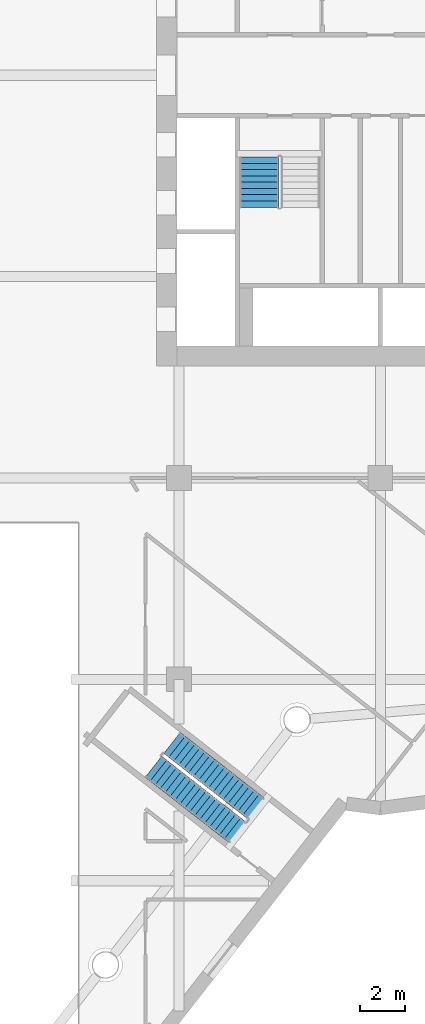
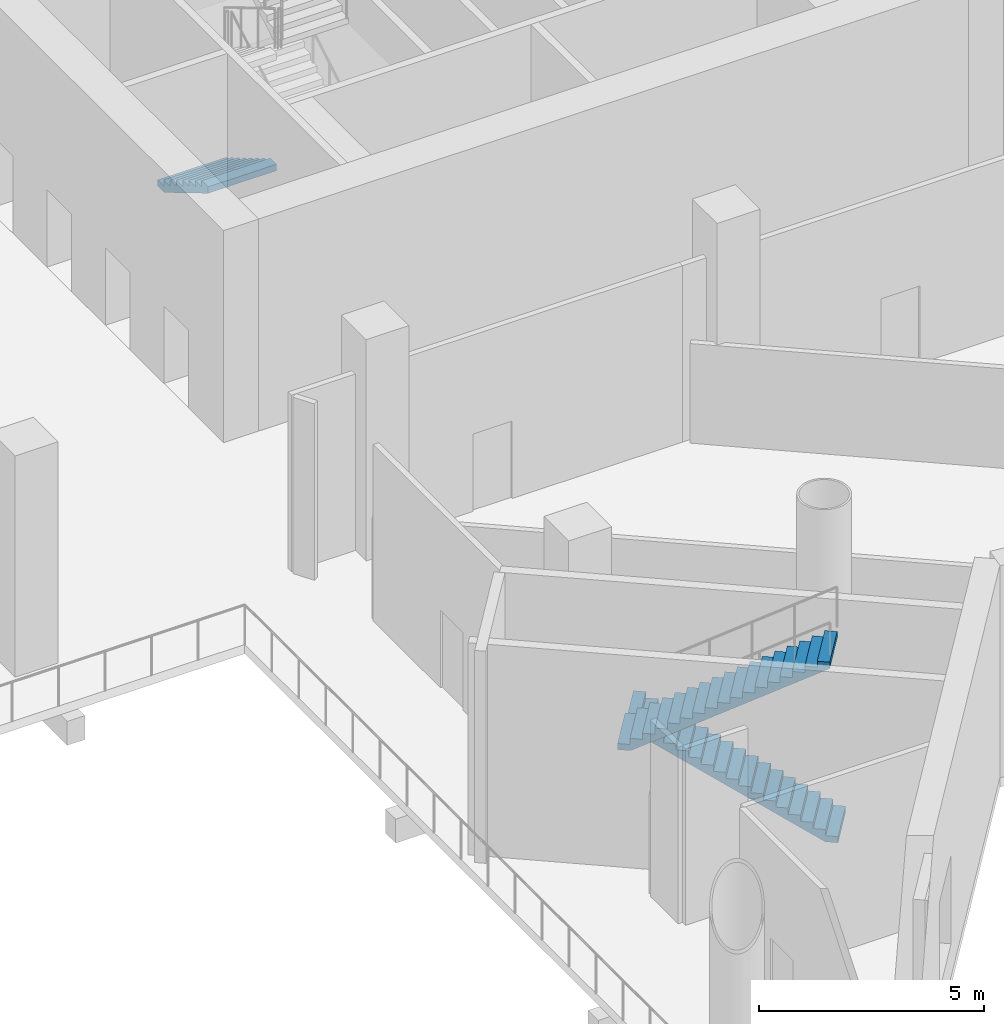
# One storey, part 12 of 24: 3 stair flights, 2 elements without a shape of their own.
"""IFC4 building model written with IfcOpenShell, lengths in metres."""

from ifc_helpers import new_model, si_unit, direction, frame, origin, place, context, subcontext, project, spatial, faceted_brep, material, type_object, element, aggregate, save


model = new_model("IFC4")

# Units and contexts
model_context = context("Model", 3, precision=1e-05, world=origin(), true_north=direction((0.0, 1.0)))
body_context = subcontext(model_context, "Body", "Model", "MODEL_VIEW")
ifc_project = project(units=[si_unit("LENGTHUNIT", "METRE"), si_unit("AREAUNIT", "SQUARE_METRE"), si_unit("VOLUMEUNIT", "CUBIC_METRE"), si_unit("PLANEANGLEUNIT", "RADIAN"), si_unit("MASSUNIT", "GRAM", prefix="KILO")], contexts=[model_context])

# Site, building, storey
site_placement = place(None, origin())
site = spatial("IfcSite", under=ifc_project, at=site_placement, CompositionType="ELEMENT")
building_placement = place(site_placement, origin())
building = spatial("IfcBuilding", under=site, at=building_placement, Name="Tarsis Ring Headquarters", CompositionType="ELEMENT")
storey_placement = place(building_placement, frame((0.0, 0.0, 8.0)))
storey = spatial("IfcBuildingStorey", under=building, at=storey_placement, Name="L01", CompositionType="ELEMENT", Elevation=8.0)

# Stair, stair flight
ifc_material_1 = material(Name="Core stair 1760")
stair_type_1 = type_object("IfcStairType", Name="Core stair 1760", PredefinedType="HALF_TURN_STAIR", material=ifc_material_1)
stair_1_placement = place(storey_placement, origin())
stair_1 = element("IfcStair", 1, at=stair_1_placement, inside=storey, type_object=stair_type_1, Name="L01 Exit stair C", PredefinedType="HALF_TURN_STAIR")
ifc_material_2 = material(Name="Concrete C40/50", Category="concrete")
stair_flight_type_1 = type_object("IfcStairFlightType", Name="Core stair flight 1760", PredefinedType="STRAIGHT", material=ifc_material_2)
stair_flight_1_placement = place(storey_placement, frame((-5.419921875, -3.659912109375, 0.0), z_axis=(0.0, 0.0, 1.0), x_axis=(0.0, -1.0, 0.0)))
stair_flight_1 = element("IfcStairFlight", 2, at=stair_flight_1_placement, type_object=stair_flight_type_1, Name="Stair ST3 flight 1", NumberOfRisers=9, NumberOfTreads=8, PredefinedType="STRAIGHT", RiserHeight=0.166666667, TreadLength=0.28, context=body_context, shape_type="Brep", body=[
    faceted_brep([(0.0, 0.8798828125, 0.0), (0.0, 0.8798828125, 0.166748046875), (0.280029296875, 0.8798828125, 0.166748046875), (0.280029296875, 0.8798828125, 0.333251953125), (0.56005859375, 0.8798828125, 0.333251953125), (0.56005859375, 0.8798828125, 0.5), (0.840087890625, 0.8798828125, 0.5), (0.840087890625, 0.8798828125, 0.666748046875), (1.1201171875, 0.8798828125, 0.666748046875), (1.1201171875, 0.8798828125, 0.833251953125), (1.39990234375, 0.8798828125, 0.833251953125), (1.39990234375, 0.8798828125, 1.0), (1.679931640625, 0.8798828125, 1.0), (1.679931640625, 0.8798828125, 1.166748046875), (1.9599609375, 0.8798828125, 1.166748046875), (1.9599609375, 0.8798828125, 1.333251953125), (2.239990234375, 0.8798828125, 1.333251953125), (2.239990234375, 0.8798828125, 1.158935546875), (0.29296875, 0.8798828125, 0.0), (0.29296875, -0.8798828125, 0.0), (2.239990234375, -0.8798828125, 1.158935546875), (2.239990234375, -0.8798828125, 1.333251953125), (1.9599609375, -0.8798828125, 1.333251953125), (1.9599609375, -0.8798828125, 1.166748046875), (1.679931640625, -0.8798828125, 1.166748046875), (1.679931640625, -0.8798828125, 1.0), (1.39990234375, -0.8798828125, 1.0), (1.39990234375, -0.8798828125, 0.833251953125), (1.1201171875, -0.8798828125, 0.833251953125), (1.1201171875, -0.8798828125, 0.666748046875), (0.840087890625, -0.8798828125, 0.666748046875), (0.840087890625, -0.8798828125, 0.5), (0.56005859375, -0.8798828125, 0.5), (0.56005859375, -0.8798828125, 0.333251953125), (0.280029296875, -0.8798828125, 0.333251953125), (0.280029296875, -0.8798828125, 0.166748046875), (0.0, -0.8798828125, 0.166748046875), (0.0, -0.8798828125, 0.0), (0.0, -0.43994140625, 0.166748046875), (0.0, -0.43994140625, 0.0), (0.0, 0.0, 0.166748046875), (0.0, 0.0, 0.0), (0.0, 0.43994140625, 0.166748046875), (0.0, 0.43994140625, 0.0), (0.280029296875, -0.43994140625, 0.166748046875), (0.280029296875, 0.0, 0.166748046875), (0.280029296875, 0.43994140625, 0.166748046875), (0.280029296875, -0.43994140625, 0.333251953125), (0.280029296875, 0.0, 0.333251953125), (0.280029296875, 0.43994140625, 0.333251953125), (0.56005859375, -0.43994140625, 0.333251953125), (0.56005859375, 0.0, 0.333251953125), (0.56005859375, 0.43994140625, 0.333251953125), (0.56005859375, -0.43994140625, 0.5), (0.56005859375, 0.0, 0.5), (0.56005859375, 0.43994140625, 0.5), (0.840087890625, -0.43994140625, 0.5), (0.840087890625, 0.0, 0.5), (0.840087890625, 0.43994140625, 0.5), (0.840087890625, -0.43994140625, 0.666748046875), (0.840087890625, 0.0, 0.666748046875), (0.840087890625, 0.43994140625, 0.666748046875), (1.1201171875, -0.43994140625, 0.666748046875), (1.1201171875, 0.0, 0.666748046875), (1.1201171875, 0.43994140625, 0.666748046875), (1.1201171875, -0.43994140625, 0.833251953125), (1.1201171875, 0.0, 0.833251953125), (1.1201171875, 0.43994140625, 0.833251953125), (1.39990234375, -0.43994140625, 0.833251953125), (1.39990234375, 0.0, 0.833251953125), (1.39990234375, 0.43994140625, 0.833251953125), (1.39990234375, -0.43994140625, 1.0), (1.39990234375, 0.0, 1.0), (1.39990234375, 0.43994140625, 1.0), (1.679931640625, -0.43994140625, 1.0), (1.679931640625, 0.0, 1.0), (1.679931640625, 0.43994140625, 1.0), (1.679931640625, -0.43994140625, 1.166748046875), (1.679931640625, 0.0, 1.166748046875), (1.679931640625, 0.43994140625, 1.166748046875), (1.9599609375, -0.43994140625, 1.166748046875), (1.9599609375, 0.0, 1.166748046875), (1.9599609375, 0.43994140625, 1.166748046875), (1.9599609375, -0.43994140625, 1.333251953125), (1.9599609375, 0.0, 1.333251953125), (1.9599609375, 0.43994140625, 1.333251953125), (2.239990234375, -0.43994140625, 1.333251953125), (2.239990234375, 0.0, 1.333251953125), (2.239990234375, 0.43994140625, 1.333251953125), (2.239990234375, -0.43994140625, 1.158935546875), (2.239990234375, 0.0, 1.158935546875), (2.239990234375, 0.43994140625, 1.158935546875), (0.29296875, -0.43994140625, 0.0), (0.29296875, 0.0, 0.0), (0.29296875, 0.43994140625, 0.0)], [[[0, 1, 2, 3, 4, 5, 6, 7, 8, 9, 10, 11, 12, 13, 14, 15, 16, 17, 18]], [[19, 20, 21, 22, 23, 24, 25, 26, 27, 28, 29, 30, 31, 32, 33, 34, 35, 36, 37]], [[37, 36, 38, 39]], [[39, 38, 40, 41]], [[41, 40, 42, 43]], [[43, 42, 1, 0]], [[36, 35, 44, 38]], [[38, 44, 45, 40]], [[40, 45, 46, 42]], [[42, 46, 2, 1]], [[35, 34, 47, 44]], [[44, 47, 48, 45]], [[45, 48, 49, 46]], [[46, 49, 3, 2]], [[34, 33, 50, 47]], [[47, 50, 51, 48]], [[48, 51, 52, 49]], [[49, 52, 4, 3]], [[33, 32, 53, 50]], [[50, 53, 54, 51]], [[51, 54, 55, 52]], [[52, 55, 5, 4]], [[32, 31, 56, 53]], [[53, 56, 57, 54]], [[54, 57, 58, 55]], [[55, 58, 6, 5]], [[31, 30, 59, 56]], [[56, 59, 60, 57]], [[57, 60, 61, 58]], [[58, 61, 7, 6]], [[30, 29, 62, 59]], [[59, 62, 63, 60]], [[60, 63, 64, 61]], [[61, 64, 8, 7]], [[29, 28, 65, 62]], [[62, 65, 66, 63]], [[63, 66, 67, 64]], [[64, 67, 9, 8]], [[28, 27, 68, 65]], [[65, 68, 69, 66]], [[66, 69, 70, 67]], [[67, 70, 10, 9]], [[27, 26, 71, 68]], [[68, 71, 72, 69]], [[69, 72, 73, 70]], [[70, 73, 11, 10]], [[26, 25, 74, 71]], [[71, 74, 75, 72]], [[72, 75, 76, 73]], [[73, 76, 12, 11]], [[25, 24, 77, 74]], [[74, 77, 78, 75]], [[75, 78, 79, 76]], [[76, 79, 13, 12]], [[24, 23, 80, 77]], [[77, 80, 81, 78]], [[78, 81, 82, 79]], [[79, 82, 14, 13]], [[23, 22, 83, 80]], [[80, 83, 84, 81]], [[81, 84, 85, 82]], [[82, 85, 15, 14]], [[22, 21, 86, 83]], [[83, 86, 87, 84]], [[84, 87, 88, 85]], [[85, 88, 16, 15]], [[21, 20, 89, 86]], [[86, 89, 90, 87]], [[87, 90, 91, 88]], [[88, 91, 17, 16]], [[20, 19, 92, 89]], [[89, 92, 93, 90]], [[90, 93, 94, 91]], [[91, 94, 18, 17]], [[19, 37, 39, 92]], [[92, 39, 41, 93]], [[93, 41, 43, 94]], [[94, 43, 0, 18]]]),
])
aggregate(stair_1, [stair_flight_1])

# Stair, stair flights
stair_type_2 = type_object("IfcStairType", Name="PO-ST", PredefinedType="HALF_TURN_STAIR", material=ifc_material_2)
stair_2_placement = place(storey_placement, origin())
stair_2 = element("IfcStair", 3, at=stair_2_placement, inside=storey, type_object=stair_type_2, Name="L01 Podium stair", PredefinedType="HALF_TURN_STAIR")
stair_flight_type_2 = type_object("IfcStairFlightType", Name="PO-STF", PredefinedType="STRAIGHT", material=ifc_material_2)
stair_flight_2_placement = place(storey_placement, frame((-5.55712890625, -32.768798828125, 0.0), z_axis=(0.0, 0.0, 1.0), x_axis=(-0.788276433435, 0.615321269331, 0.0)))
stair_flight_2 = element("IfcStairFlight", 4, at=stair_flight_2_placement, type_object=stair_flight_type_2, Name="Stair PS2 flight 1", NumberOfRisers=18, NumberOfTreads=17, PredefinedType="STRAIGHT", RiserHeight=0.166666667, TreadLength=0.28, context=body_context, shape_type="Brep", body=[
    faceted_brep([(0.0, 0.60009765625, 0.0), (0.0, 0.60009765625, 0.166748046875), (0.280029296875, 0.60009765625, 0.166748046875), (0.280029296875, 0.60009765625, 0.333251953125), (0.56005859375, 0.60009765625, 0.333251953125), (0.56005859375, 0.60009765625, 0.5), (0.840087890625, 0.60009765625, 0.5), (0.840087890625, 0.60009765625, 0.666748046875), (1.1201171875, 0.60009765625, 0.666748046875), (1.1201171875, 0.60009765625, 0.833251953125), (1.39990234375, 0.60009765625, 0.833251953125), (1.39990234375, 0.60009765625, 1.0), (1.679931640625, 0.60009765625, 1.0), (1.679931640625, 0.60009765625, 1.166748046875), (1.9599609375, 0.60009765625, 1.166748046875), (1.9599609375, 0.60009765625, 1.333251953125), (2.239990234375, 0.60009765625, 1.333251953125), (2.239990234375, 0.60009765625, 1.5), (2.52001953125, 0.60009765625, 1.5), (2.52001953125, 0.60009765625, 1.666748046875), (2.800048828125, 0.60009765625, 1.666748046875), (2.800048828125, 0.60009765625, 1.833251953125), (3.080078125, 0.60009765625, 1.833251953125), (3.080078125, 0.60009765625, 2.0), (3.360107421875, 0.60009765625, 2.0), (3.360107421875, 0.60009765625, 2.166748046875), (3.639892578125, 0.60009765625, 2.166748046875), (3.639892578125, 0.60009765625, 2.333251953125), (3.919921875, 0.60009765625, 2.333251953125), (3.919921875, 0.60009765625, 2.5), (4.199951171875, 0.60009765625, 2.5), (4.199951171875, 0.60009765625, 2.666748046875), (4.47998046875, 0.60009765625, 2.666748046875), (4.47998046875, 0.60009765625, 2.833251953125), (4.760009765625, 0.60009765625, 2.833251953125), (4.760009765625, 0.60009765625, 2.658935546875), (0.29296875, 0.60009765625, 0.0), (0.29296875, -0.60009765625, 0.0), (4.760009765625, -0.60009765625, 2.658935546875), (4.760009765625, -0.60009765625, 2.833251953125), (4.47998046875, -0.60009765625, 2.833251953125), (4.47998046875, -0.60009765625, 2.666748046875), (4.199951171875, -0.60009765625, 2.666748046875), (4.199951171875, -0.60009765625, 2.5), (3.919921875, -0.60009765625, 2.5), (3.919921875, -0.60009765625, 2.333251953125), (3.639892578125, -0.60009765625, 2.333251953125), (3.639892578125, -0.60009765625, 2.166748046875), (3.360107421875, -0.60009765625, 2.166748046875), (3.360107421875, -0.60009765625, 2.0), (3.080078125, -0.60009765625, 2.0), (3.080078125, -0.60009765625, 1.833251953125), (2.800048828125, -0.60009765625, 1.833251953125), (2.800048828125, -0.60009765625, 1.666748046875), (2.52001953125, -0.60009765625, 1.666748046875), (2.52001953125, -0.60009765625, 1.5), (2.239990234375, -0.60009765625, 1.5), (2.239990234375, -0.60009765625, 1.333251953125), (1.9599609375, -0.60009765625, 1.333251953125), (1.9599609375, -0.60009765625, 1.166748046875), (1.679931640625, -0.60009765625, 1.166748046875), (1.679931640625, -0.60009765625, 1.0), (1.39990234375, -0.60009765625, 1.0), (1.39990234375, -0.60009765625, 0.833251953125), (1.1201171875, -0.60009765625, 0.833251953125), (1.1201171875, -0.60009765625, 0.666748046875), (0.840087890625, -0.60009765625, 0.666748046875), (0.840087890625, -0.60009765625, 0.5), (0.56005859375, -0.60009765625, 0.5), (0.56005859375, -0.60009765625, 0.333251953125), (0.280029296875, -0.60009765625, 0.333251953125), (0.280029296875, -0.60009765625, 0.166748046875), (0.0, -0.60009765625, 0.166748046875), (0.0, -0.60009765625, 0.0), (0.0, -0.300048828125, 0.166748046875), (0.0, -0.300048828125, 0.0), (0.0, 0.0, 0.166748046875), (0.0, 0.0, 0.0), (0.0, 0.300048828125, 0.166748046875), (0.0, 0.300048828125, 0.0), (0.280029296875, -0.300048828125, 0.166748046875), (0.280029296875, 0.0, 0.166748046875), (0.280029296875, 0.300048828125, 0.166748046875), (0.280029296875, -0.300048828125, 0.333251953125), (0.280029296875, 0.0, 0.333251953125), (0.280029296875, 0.300048828125, 0.333251953125), (0.56005859375, -0.300048828125, 0.333251953125), (0.56005859375, 0.0, 0.333251953125), (0.56005859375, 0.300048828125, 0.333251953125), (0.56005859375, -0.300048828125, 0.5), (0.56005859375, 0.0, 0.5), (0.56005859375, 0.300048828125, 0.5), (0.840087890625, -0.300048828125, 0.5), (0.840087890625, 0.0, 0.5), (0.840087890625, 0.300048828125, 0.5), (0.840087890625, -0.300048828125, 0.666748046875), (0.840087890625, 0.0, 0.666748046875), (0.840087890625, 0.300048828125, 0.666748046875), (1.1201171875, -0.300048828125, 0.666748046875), (1.1201171875, 0.0, 0.666748046875), (1.1201171875, 0.300048828125, 0.666748046875), (1.1201171875, -0.300048828125, 0.833251953125), (1.1201171875, 0.0, 0.833251953125), (1.1201171875, 0.300048828125, 0.833251953125), (1.39990234375, -0.300048828125, 0.833251953125), (1.39990234375, 0.0, 0.833251953125), (1.39990234375, 0.300048828125, 0.833251953125), (1.39990234375, -0.300048828125, 1.0), (1.39990234375, 0.0, 1.0), (1.39990234375, 0.300048828125, 1.0), (1.679931640625, -0.300048828125, 1.0), (1.679931640625, 0.0, 1.0), (1.679931640625, 0.300048828125, 1.0), (1.679931640625, -0.300048828125, 1.166748046875), (1.679931640625, 0.0, 1.166748046875), (1.679931640625, 0.300048828125, 1.166748046875), (1.9599609375, -0.300048828125, 1.166748046875), (1.9599609375, 0.0, 1.166748046875), (1.9599609375, 0.300048828125, 1.166748046875), (1.9599609375, -0.300048828125, 1.333251953125), (1.9599609375, 0.0, 1.333251953125), (1.9599609375, 0.300048828125, 1.333251953125), (2.239990234375, -0.300048828125, 1.333251953125), (2.239990234375, 0.0, 1.333251953125), (2.239990234375, 0.300048828125, 1.333251953125), (2.239990234375, -0.300048828125, 1.5), (2.239990234375, 0.0, 1.5), (2.239990234375, 0.300048828125, 1.5), (2.52001953125, -0.300048828125, 1.5), (2.52001953125, 0.0, 1.5), (2.52001953125, 0.300048828125, 1.5), (2.52001953125, -0.300048828125, 1.666748046875), (2.52001953125, 0.0, 1.666748046875), (2.52001953125, 0.300048828125, 1.666748046875), (2.800048828125, -0.300048828125, 1.666748046875), (2.800048828125, 0.0, 1.666748046875), (2.800048828125, 0.300048828125, 1.666748046875), (2.800048828125, -0.300048828125, 1.833251953125), (2.800048828125, 0.0, 1.833251953125), (2.800048828125, 0.300048828125, 1.833251953125), (3.080078125, -0.300048828125, 1.833251953125), (3.080078125, 0.0, 1.833251953125), (3.080078125, 0.300048828125, 1.833251953125), (3.080078125, -0.300048828125, 2.0), (3.080078125, 0.0, 2.0), (3.080078125, 0.300048828125, 2.0), (3.360107421875, -0.300048828125, 2.0), (3.360107421875, 0.0, 2.0), (3.360107421875, 0.300048828125, 2.0), (3.360107421875, -0.300048828125, 2.166748046875), (3.360107421875, 0.0, 2.166748046875), (3.360107421875, 0.300048828125, 2.166748046875), (3.639892578125, -0.300048828125, 2.166748046875), (3.639892578125, 0.0, 2.166748046875), (3.639892578125, 0.300048828125, 2.166748046875), (3.639892578125, -0.300048828125, 2.333251953125), (3.639892578125, 0.0, 2.333251953125), (3.639892578125, 0.300048828125, 2.333251953125), (3.919921875, -0.300048828125, 2.333251953125), (3.919921875, 0.0, 2.333251953125), (3.919921875, 0.300048828125, 2.333251953125), (3.919921875, -0.300048828125, 2.5), (3.919921875, 0.0, 2.5), (3.919921875, 0.300048828125, 2.5), (4.199951171875, -0.300048828125, 2.5), (4.199951171875, 0.0, 2.5), (4.199951171875, 0.300048828125, 2.5), (4.199951171875, -0.300048828125, 2.666748046875), (4.199951171875, 0.0, 2.666748046875), (4.199951171875, 0.300048828125, 2.666748046875), (4.47998046875, -0.300048828125, 2.666748046875), (4.47998046875, 0.0, 2.666748046875), (4.47998046875, 0.300048828125, 2.666748046875), (4.47998046875, -0.300048828125, 2.833251953125), (4.47998046875, 0.0, 2.833251953125), (4.47998046875, 0.300048828125, 2.833251953125), (4.760009765625, -0.300048828125, 2.833251953125), (4.760009765625, 0.0, 2.833251953125), (4.760009765625, 0.300048828125, 2.833251953125), (4.760009765625, -0.300048828125, 2.658935546875), (4.760009765625, 0.0, 2.658935546875), (4.760009765625, 0.300048828125, 2.658935546875), (0.29296875, -0.300048828125, 0.0), (0.29296875, 0.0, 0.0), (0.29296875, 0.300048828125, 0.0)], [[[0, 1, 2, 3, 4, 5, 6, 7, 8, 9, 10, 11, 12, 13, 14, 15, 16, 17, 18, 19, 20, 21, 22, 23, 24, 25, 26, 27, 28, 29, 30, 31, 32, 33, 34, 35, 36]], [[37, 38, 39, 40, 41, 42, 43, 44, 45, 46, 47, 48, 49, 50, 51, 52, 53, 54, 55, 56, 57, 58, 59, 60, 61, 62, 63, 64, 65, 66, 67, 68, 69, 70, 71, 72, 73]], [[73, 72, 74, 75]], [[75, 74, 76, 77]], [[77, 76, 78, 79]], [[79, 78, 1, 0]], [[72, 71, 80, 74]], [[74, 80, 81, 76]], [[76, 81, 82, 78]], [[78, 82, 2, 1]], [[71, 70, 83, 80]], [[80, 83, 84, 81]], [[81, 84, 85, 82]], [[82, 85, 3, 2]], [[70, 69, 86, 83]], [[83, 86, 87, 84]], [[84, 87, 88, 85]], [[85, 88, 4, 3]], [[69, 68, 89, 86]], [[86, 89, 90, 87]], [[87, 90, 91, 88]], [[88, 91, 5, 4]], [[68, 67, 92, 89]], [[89, 92, 93, 90]], [[90, 93, 94, 91]], [[91, 94, 6, 5]], [[67, 66, 95, 92]], [[92, 95, 96, 93]], [[93, 96, 97, 94]], [[94, 97, 7, 6]], [[66, 65, 98, 95]], [[95, 98, 99, 96]], [[96, 99, 100, 97]], [[97, 100, 8, 7]], [[65, 64, 101, 98]], [[98, 101, 102, 99]], [[99, 102, 103, 100]], [[100, 103, 9, 8]], [[64, 63, 104, 101]], [[101, 104, 105, 102]], [[102, 105, 106, 103]], [[103, 106, 10, 9]], [[63, 62, 107, 104]], [[104, 107, 108, 105]], [[105, 108, 109, 106]], [[106, 109, 11, 10]], [[62, 61, 110, 107]], [[107, 110, 111, 108]], [[108, 111, 112, 109]], [[109, 112, 12, 11]], [[61, 60, 113, 110]], [[110, 113, 114, 111]], [[111, 114, 115, 112]], [[112, 115, 13, 12]], [[60, 59, 116, 113]], [[113, 116, 117, 114]], [[114, 117, 118, 115]], [[115, 118, 14, 13]], [[59, 58, 119, 116]], [[116, 119, 120, 117]], [[117, 120, 121, 118]], [[118, 121, 15, 14]], [[58, 57, 122, 119]], [[119, 122, 123, 120]], [[120, 123, 124, 121]], [[121, 124, 16, 15]], [[57, 56, 125, 122]], [[122, 125, 126, 123]], [[123, 126, 127, 124]], [[124, 127, 17, 16]], [[56, 55, 128, 125]], [[125, 128, 129, 126]], [[126, 129, 130, 127]], [[127, 130, 18, 17]], [[55, 54, 131, 128]], [[128, 131, 132, 129]], [[129, 132, 133, 130]], [[130, 133, 19, 18]], [[54, 53, 134, 131]], [[131, 134, 135, 132]], [[132, 135, 136, 133]], [[133, 136, 20, 19]], [[53, 52, 137, 134]], [[134, 137, 138, 135]], [[135, 138, 139, 136]], [[136, 139, 21, 20]], [[52, 51, 140, 137]], [[137, 140, 141, 138]], [[138, 141, 142, 139]], [[139, 142, 22, 21]], [[51, 50, 143, 140]], [[140, 143, 144, 141]], [[141, 144, 145, 142]], [[142, 145, 23, 22]], [[50, 49, 146, 143]], [[143, 146, 147, 144]], [[144, 147, 148, 145]], [[145, 148, 24, 23]], [[49, 48, 149, 146]], [[146, 149, 150, 147]], [[147, 150, 151, 148]], [[148, 151, 25, 24]], [[48, 47, 152, 149]], [[149, 152, 153, 150]], [[150, 153, 154, 151]], [[151, 154, 26, 25]], [[47, 46, 155, 152]], [[152, 155, 156, 153]], [[153, 156, 157, 154]], [[154, 157, 27, 26]], [[46, 45, 158, 155]], [[155, 158, 159, 156]], [[156, 159, 160, 157]], [[157, 160, 28, 27]], [[45, 44, 161, 158]], [[158, 161, 162, 159]], [[159, 162, 163, 160]], [[160, 163, 29, 28]], [[44, 43, 164, 161]], [[161, 164, 165, 162]], [[162, 165, 166, 163]], [[163, 166, 30, 29]], [[43, 42, 167, 164]], [[164, 167, 168, 165]], [[165, 168, 169, 166]], [[166, 169, 31, 30]], [[42, 41, 170, 167]], [[167, 170, 171, 168]], [[168, 171, 172, 169]], [[169, 172, 32, 31]], [[41, 40, 173, 170]], [[170, 173, 174, 171]], [[171, 174, 175, 172]], [[172, 175, 33, 32]], [[40, 39, 176, 173]], [[173, 176, 177, 174]], [[174, 177, 178, 175]], [[175, 178, 34, 33]], [[39, 38, 179, 176]], [[176, 179, 180, 177]], [[177, 180, 181, 178]], [[178, 181, 35, 34]], [[38, 37, 182, 179]], [[179, 182, 183, 180]], [[180, 183, 184, 181]], [[181, 184, 36, 35]], [[37, 73, 75, 182]], [[182, 75, 77, 183]], [[183, 77, 79, 184]], [[184, 79, 0, 36]]]),
])
stair_flight_3_placement = place(storey_placement, frame((-10.14013671875, -30.904052734375, 3.0), z_axis=(0.0, 0.0, 1.0), x_axis=(0.788276433435, -0.615321269331, 0.0)))
stair_flight_3 = element("IfcStairFlight", 5, at=stair_flight_3_placement, type_object=stair_flight_type_2, Name="Stair PS2 flight 2", NumberOfRisers=18, NumberOfTreads=17, PredefinedType="STRAIGHT", RiserHeight=0.166666667, TreadLength=0.28, context=body_context, shape_type="Brep", body=[
    faceted_brep([(0.0, 0.60009765625, 0.0), (0.0, 0.60009765625, 0.166748046875), (0.280029296875, 0.60009765625, 0.166748046875), (0.280029296875, 0.60009765625, 0.333251953125), (0.56005859375, 0.60009765625, 0.333251953125), (0.56005859375, 0.60009765625, 0.5), (0.840087890625, 0.60009765625, 0.5), (0.840087890625, 0.60009765625, 0.666748046875), (1.1201171875, 0.60009765625, 0.666748046875), (1.1201171875, 0.60009765625, 0.833251953125), (1.39990234375, 0.60009765625, 0.833251953125), (1.39990234375, 0.60009765625, 1.0), (1.679931640625, 0.60009765625, 1.0), (1.679931640625, 0.60009765625, 1.166748046875), (1.9599609375, 0.60009765625, 1.166748046875), (1.9599609375, 0.60009765625, 1.333251953125), (2.239990234375, 0.60009765625, 1.333251953125), (2.239990234375, 0.60009765625, 1.5), (2.52001953125, 0.60009765625, 1.5), (2.52001953125, 0.60009765625, 1.666748046875), (2.800048828125, 0.60009765625, 1.666748046875), (2.800048828125, 0.60009765625, 1.833251953125), (3.080078125, 0.60009765625, 1.833251953125), (3.080078125, 0.60009765625, 2.0), (3.360107421875, 0.60009765625, 2.0), (3.360107421875, 0.60009765625, 2.166748046875), (3.639892578125, 0.60009765625, 2.166748046875), (3.639892578125, 0.60009765625, 2.333251953125), (3.919921875, 0.60009765625, 2.333251953125), (3.919921875, 0.60009765625, 2.5), (4.199951171875, 0.60009765625, 2.5), (4.199951171875, 0.60009765625, 2.666748046875), (4.47998046875, 0.60009765625, 2.666748046875), (4.47998046875, 0.60009765625, 2.833251953125), (4.760009765625, 0.60009765625, 2.833251953125), (4.760009765625, 0.60009765625, 2.658935546875), (0.29296875, 0.60009765625, 0.0), (0.29296875, -0.60009765625, 0.0), (4.760009765625, -0.60009765625, 2.658935546875), (4.760009765625, -0.60009765625, 2.833251953125), (4.47998046875, -0.60009765625, 2.833251953125), (4.47998046875, -0.60009765625, 2.666748046875), (4.199951171875, -0.60009765625, 2.666748046875), (4.199951171875, -0.60009765625, 2.5), (3.919921875, -0.60009765625, 2.5), (3.919921875, -0.60009765625, 2.333251953125), (3.639892578125, -0.60009765625, 2.333251953125), (3.639892578125, -0.60009765625, 2.166748046875), (3.360107421875, -0.60009765625, 2.166748046875), (3.360107421875, -0.60009765625, 2.0), (3.080078125, -0.60009765625, 2.0), (3.080078125, -0.60009765625, 1.833251953125), (2.800048828125, -0.60009765625, 1.833251953125), (2.800048828125, -0.60009765625, 1.666748046875), (2.52001953125, -0.60009765625, 1.666748046875), (2.52001953125, -0.60009765625, 1.5), (2.239990234375, -0.60009765625, 1.5), (2.239990234375, -0.60009765625, 1.333251953125), (1.9599609375, -0.60009765625, 1.333251953125), (1.9599609375, -0.60009765625, 1.166748046875), (1.679931640625, -0.60009765625, 1.166748046875), (1.679931640625, -0.60009765625, 1.0), (1.39990234375, -0.60009765625, 1.0), (1.39990234375, -0.60009765625, 0.833251953125), (1.1201171875, -0.60009765625, 0.833251953125), (1.1201171875, -0.60009765625, 0.666748046875), (0.840087890625, -0.60009765625, 0.666748046875), (0.840087890625, -0.60009765625, 0.5), (0.56005859375, -0.60009765625, 0.5), (0.56005859375, -0.60009765625, 0.333251953125), (0.280029296875, -0.60009765625, 0.333251953125), (0.280029296875, -0.60009765625, 0.166748046875), (0.0, -0.60009765625, 0.166748046875), (0.0, -0.60009765625, 0.0), (0.0, -0.300048828125, 0.166748046875), (0.0, -0.300048828125, 0.0), (0.0, 0.0, 0.166748046875), (0.0, 0.0, 0.0), (0.0, 0.300048828125, 0.166748046875), (0.0, 0.300048828125, 0.0), (0.280029296875, -0.300048828125, 0.166748046875), (0.280029296875, 0.0, 0.166748046875), (0.280029296875, 0.300048828125, 0.166748046875), (0.280029296875, -0.300048828125, 0.333251953125), (0.280029296875, 0.0, 0.333251953125), (0.280029296875, 0.300048828125, 0.333251953125), (0.56005859375, -0.300048828125, 0.333251953125), (0.56005859375, 0.0, 0.333251953125), (0.56005859375, 0.300048828125, 0.333251953125), (0.56005859375, -0.300048828125, 0.5), (0.56005859375, 0.0, 0.5), (0.56005859375, 0.300048828125, 0.5), (0.840087890625, -0.300048828125, 0.5), (0.840087890625, 0.0, 0.5), (0.840087890625, 0.300048828125, 0.5), (0.840087890625, -0.300048828125, 0.666748046875), (0.840087890625, 0.0, 0.666748046875), (0.840087890625, 0.300048828125, 0.666748046875), (1.1201171875, -0.300048828125, 0.666748046875), (1.1201171875, 0.0, 0.666748046875), (1.1201171875, 0.300048828125, 0.666748046875), (1.1201171875, -0.300048828125, 0.833251953125), (1.1201171875, 0.0, 0.833251953125), (1.1201171875, 0.300048828125, 0.833251953125), (1.39990234375, -0.300048828125, 0.833251953125), (1.39990234375, 0.0, 0.833251953125), (1.39990234375, 0.300048828125, 0.833251953125), (1.39990234375, -0.300048828125, 1.0), (1.39990234375, 0.0, 1.0), (1.39990234375, 0.300048828125, 1.0), (1.679931640625, -0.300048828125, 1.0), (1.679931640625, 0.0, 1.0), (1.679931640625, 0.300048828125, 1.0), (1.679931640625, -0.300048828125, 1.166748046875), (1.679931640625, 0.0, 1.166748046875), (1.679931640625, 0.300048828125, 1.166748046875), (1.9599609375, -0.300048828125, 1.166748046875), (1.9599609375, 0.0, 1.166748046875), (1.9599609375, 0.300048828125, 1.166748046875), (1.9599609375, -0.300048828125, 1.333251953125), (1.9599609375, 0.0, 1.333251953125), (1.9599609375, 0.300048828125, 1.333251953125), (2.239990234375, -0.300048828125, 1.333251953125), (2.239990234375, 0.0, 1.333251953125), (2.239990234375, 0.300048828125, 1.333251953125), (2.239990234375, -0.300048828125, 1.5), (2.239990234375, 0.0, 1.5), (2.239990234375, 0.300048828125, 1.5), (2.52001953125, -0.300048828125, 1.5), (2.52001953125, 0.0, 1.5), (2.52001953125, 0.300048828125, 1.5), (2.52001953125, -0.300048828125, 1.666748046875), (2.52001953125, 0.0, 1.666748046875), (2.52001953125, 0.300048828125, 1.666748046875), (2.800048828125, -0.300048828125, 1.666748046875), (2.800048828125, 0.0, 1.666748046875), (2.800048828125, 0.300048828125, 1.666748046875), (2.800048828125, -0.300048828125, 1.833251953125), (2.800048828125, 0.0, 1.833251953125), (2.800048828125, 0.300048828125, 1.833251953125), (3.080078125, -0.300048828125, 1.833251953125), (3.080078125, 0.0, 1.833251953125), (3.080078125, 0.300048828125, 1.833251953125), (3.080078125, -0.300048828125, 2.0), (3.080078125, 0.0, 2.0), (3.080078125, 0.300048828125, 2.0), (3.360107421875, -0.300048828125, 2.0), (3.360107421875, 0.0, 2.0), (3.360107421875, 0.300048828125, 2.0), (3.360107421875, -0.300048828125, 2.166748046875), (3.360107421875, 0.0, 2.166748046875), (3.360107421875, 0.300048828125, 2.166748046875), (3.639892578125, -0.300048828125, 2.166748046875), (3.639892578125, 0.0, 2.166748046875), (3.639892578125, 0.300048828125, 2.166748046875), (3.639892578125, -0.300048828125, 2.333251953125), (3.639892578125, 0.0, 2.333251953125), (3.639892578125, 0.300048828125, 2.333251953125), (3.919921875, -0.300048828125, 2.333251953125), (3.919921875, 0.0, 2.333251953125), (3.919921875, 0.300048828125, 2.333251953125), (3.919921875, -0.300048828125, 2.5), (3.919921875, 0.0, 2.5), (3.919921875, 0.300048828125, 2.5), (4.199951171875, -0.300048828125, 2.5), (4.199951171875, 0.0, 2.5), (4.199951171875, 0.300048828125, 2.5), (4.199951171875, -0.300048828125, 2.666748046875), (4.199951171875, 0.0, 2.666748046875), (4.199951171875, 0.300048828125, 2.666748046875), (4.47998046875, -0.300048828125, 2.666748046875), (4.47998046875, 0.0, 2.666748046875), (4.47998046875, 0.300048828125, 2.666748046875), (4.47998046875, -0.300048828125, 2.833251953125), (4.47998046875, 0.0, 2.833251953125), (4.47998046875, 0.300048828125, 2.833251953125), (4.760009765625, -0.300048828125, 2.833251953125), (4.760009765625, 0.0, 2.833251953125), (4.760009765625, 0.300048828125, 2.833251953125), (4.760009765625, -0.300048828125, 2.658935546875), (4.760009765625, 0.0, 2.658935546875), (4.760009765625, 0.300048828125, 2.658935546875), (0.29296875, -0.300048828125, 0.0), (0.29296875, 0.0, 0.0), (0.29296875, 0.300048828125, 0.0)], [[[0, 1, 2, 3, 4, 5, 6, 7, 8, 9, 10, 11, 12, 13, 14, 15, 16, 17, 18, 19, 20, 21, 22, 23, 24, 25, 26, 27, 28, 29, 30, 31, 32, 33, 34, 35, 36]], [[37, 38, 39, 40, 41, 42, 43, 44, 45, 46, 47, 48, 49, 50, 51, 52, 53, 54, 55, 56, 57, 58, 59, 60, 61, 62, 63, 64, 65, 66, 67, 68, 69, 70, 71, 72, 73]], [[73, 72, 74, 75]], [[75, 74, 76, 77]], [[77, 76, 78, 79]], [[79, 78, 1, 0]], [[72, 71, 80, 74]], [[74, 80, 81, 76]], [[76, 81, 82, 78]], [[78, 82, 2, 1]], [[71, 70, 83, 80]], [[80, 83, 84, 81]], [[81, 84, 85, 82]], [[82, 85, 3, 2]], [[70, 69, 86, 83]], [[83, 86, 87, 84]], [[84, 87, 88, 85]], [[85, 88, 4, 3]], [[69, 68, 89, 86]], [[86, 89, 90, 87]], [[87, 90, 91, 88]], [[88, 91, 5, 4]], [[68, 67, 92, 89]], [[89, 92, 93, 90]], [[90, 93, 94, 91]], [[91, 94, 6, 5]], [[67, 66, 95, 92]], [[92, 95, 96, 93]], [[93, 96, 97, 94]], [[94, 97, 7, 6]], [[66, 65, 98, 95]], [[95, 98, 99, 96]], [[96, 99, 100, 97]], [[97, 100, 8, 7]], [[65, 64, 101, 98]], [[98, 101, 102, 99]], [[99, 102, 103, 100]], [[100, 103, 9, 8]], [[64, 63, 104, 101]], [[101, 104, 105, 102]], [[102, 105, 106, 103]], [[103, 106, 10, 9]], [[63, 62, 107, 104]], [[104, 107, 108, 105]], [[105, 108, 109, 106]], [[106, 109, 11, 10]], [[62, 61, 110, 107]], [[107, 110, 111, 108]], [[108, 111, 112, 109]], [[109, 112, 12, 11]], [[61, 60, 113, 110]], [[110, 113, 114, 111]], [[111, 114, 115, 112]], [[112, 115, 13, 12]], [[60, 59, 116, 113]], [[113, 116, 117, 114]], [[114, 117, 118, 115]], [[115, 118, 14, 13]], [[59, 58, 119, 116]], [[116, 119, 120, 117]], [[117, 120, 121, 118]], [[118, 121, 15, 14]], [[58, 57, 122, 119]], [[119, 122, 123, 120]], [[120, 123, 124, 121]], [[121, 124, 16, 15]], [[57, 56, 125, 122]], [[122, 125, 126, 123]], [[123, 126, 127, 124]], [[124, 127, 17, 16]], [[56, 55, 128, 125]], [[125, 128, 129, 126]], [[126, 129, 130, 127]], [[127, 130, 18, 17]], [[55, 54, 131, 128]], [[128, 131, 132, 129]], [[129, 132, 133, 130]], [[130, 133, 19, 18]], [[54, 53, 134, 131]], [[131, 134, 135, 132]], [[132, 135, 136, 133]], [[133, 136, 20, 19]], [[53, 52, 137, 134]], [[134, 137, 138, 135]], [[135, 138, 139, 136]], [[136, 139, 21, 20]], [[52, 51, 140, 137]], [[137, 140, 141, 138]], [[138, 141, 142, 139]], [[139, 142, 22, 21]], [[51, 50, 143, 140]], [[140, 143, 144, 141]], [[141, 144, 145, 142]], [[142, 145, 23, 22]], [[50, 49, 146, 143]], [[143, 146, 147, 144]], [[144, 147, 148, 145]], [[145, 148, 24, 23]], [[49, 48, 149, 146]], [[146, 149, 150, 147]], [[147, 150, 151, 148]], [[148, 151, 25, 24]], [[48, 47, 152, 149]], [[149, 152, 153, 150]], [[150, 153, 154, 151]], [[151, 154, 26, 25]], [[47, 46, 155, 152]], [[152, 155, 156, 153]], [[153, 156, 157, 154]], [[154, 157, 27, 26]], [[46, 45, 158, 155]], [[155, 158, 159, 156]], [[156, 159, 160, 157]], [[157, 160, 28, 27]], [[45, 44, 161, 158]], [[158, 161, 162, 159]], [[159, 162, 163, 160]], [[160, 163, 29, 28]], [[44, 43, 164, 161]], [[161, 164, 165, 162]], [[162, 165, 166, 163]], [[163, 166, 30, 29]], [[43, 42, 167, 164]], [[164, 167, 168, 165]], [[165, 168, 169, 166]], [[166, 169, 31, 30]], [[42, 41, 170, 167]], [[167, 170, 171, 168]], [[168, 171, 172, 169]], [[169, 172, 32, 31]], [[41, 40, 173, 170]], [[170, 173, 174, 171]], [[171, 174, 175, 172]], [[172, 175, 33, 32]], [[40, 39, 176, 173]], [[173, 176, 177, 174]], [[174, 177, 178, 175]], [[175, 178, 34, 33]], [[39, 38, 179, 176]], [[176, 179, 180, 177]], [[177, 180, 181, 178]], [[178, 181, 35, 34]], [[38, 37, 182, 179]], [[179, 182, 183, 180]], [[180, 183, 184, 181]], [[181, 184, 36, 35]], [[37, 73, 75, 182]], [[182, 75, 77, 183]], [[183, 77, 79, 184]], [[184, 79, 0, 36]]]),
])
aggregate(stair_2, [stair_flight_2, stair_flight_3])

save(model, "model.ifc")
